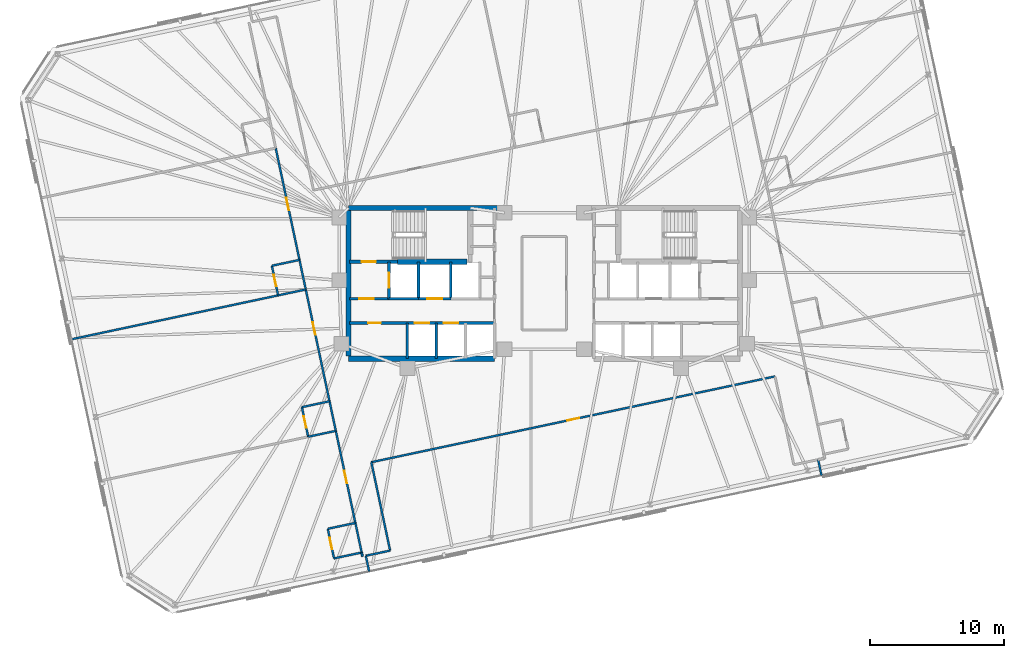
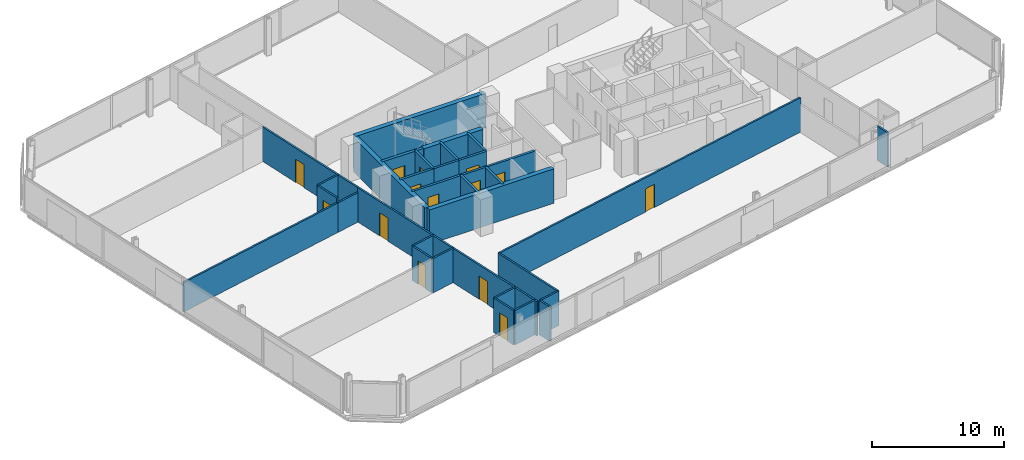
# One storey, part 14 of 19: 36 walls, 14 doors, 14 openings.
"""IFC4 building model written with IfcOpenShell, lengths in metres."""

from ifc_helpers import new_model, si_unit, direction, frame, frame_2d, origin, place, context, subcontext, project, spatial, rectangle, extrude, material, layer, layer_set, type_object, element, fill, save


model = new_model("IFC4")

# Units and contexts
model_context = context("Model", 3, precision=1e-05, world=origin(), true_north=direction((0.0, 1.0)))
body_context = subcontext(model_context, "Body", "Model", "MODEL_VIEW")
ifc_project = project(units=[si_unit("LENGTHUNIT", "METRE"), si_unit("AREAUNIT", "SQUARE_METRE"), si_unit("VOLUMEUNIT", "CUBIC_METRE"), si_unit("PLANEANGLEUNIT", "RADIAN"), si_unit("MASSUNIT", "GRAM", prefix="KILO")], contexts=[model_context])

# Site, building, storey
site_placement = place(None, origin())
site = spatial("IfcSite", under=ifc_project, at=site_placement, CompositionType="ELEMENT")
building_placement = place(site_placement, origin())
building = spatial("IfcBuilding", under=site, at=building_placement, Name="Menara Jurai Vektor", CompositionType="ELEMENT")
storey_placement = place(building_placement, frame((0.0, 0.0, 192.199951171875)))
storey = spatial("IfcBuildingStorey", under=building, at=storey_placement, Name="L50", CompositionType="ELEMENT", Elevation=192.199951171875)

# Wall, opening, door
ifc_material_1 = material(Name="Concrete C40/50", Category="concrete")
ifc_layer_1 = layer(ifc_material_1, 0.25)
ifc_layer_set_1 = layer_set([ifc_layer_1], Name="Concrete C40/50")
wall_type_1 = type_object("IfcWallType", Name="INT-WALL-CORE-250", PredefinedType="STANDARD", material=ifc_layer_set_1)
wall_1_placement = place(storey_placement, frame((-14.5, 1.60009765625, 0.0), z_axis=(0.0, 0.0, 1.0), x_axis=(1.0, 0.0, 0.0)))
wall_1 = element("IfcWall", 1, at=wall_1_placement, inside=storey, type_object=wall_type_1, Name="Interior Wall IW-250 L50", PredefinedType="STANDARD", context=body_context, shape_type="SweptSolid", body=[
    extrude(rectangle(XDim=3.60009765625, YDim=0.25, at=frame_2d((1.800048828125, 0.0))), origin(), (0.0, 0.0, 1.0), 3.175048828125),
])
opening_1_placement = place(wall_1_placement, frame((0.919921875, 0.0, 0.0)))
opening_1 = element("IfcOpeningElement", 2, at=opening_1_placement, cuts=wall_1, Name="Opening D-L50-ST1", PredefinedType="OPENING", context=body_context, shape_type="SweptSolid", body=[
    extrude(rectangle(XDim=1.050048828125, YDim=2.14990234375, at=frame_2d((0.52490234375, 1.074951171875))), frame((0.0, 0.135009765625, 0.0), z_axis=(0.0, -1.0, 0.0), x_axis=(1.0, 0.0, 0.0)), (0.0, 0.0, 1.0), 0.27001953125),
])
ifc_material_2 = material(Name="Fire-Rated Steel Door", Category="steel")
door_type_1 = type_object("IfcDoorType", Name="DR-STAIR-1050", OperationType="NOTDEFINED", PredefinedType="DOOR", material=ifc_material_2)
door_1_placement = place(opening_1_placement, origin())
door_1 = element("IfcDoor", 3, at=door_1_placement, inside=storey, type_object=door_type_1, Name="Exit Stair ST1 Door L50", OperationType="SINGLE_SWING_RIGHT", OverallHeight=2.14990234375, OverallWidth=1.050048828125, PredefinedType="DOOR", context=body_context, shape_type="SweptSolid", body=[
    extrude(rectangle(XDim=1.050048828125, YDim=2.14990234375, at=frame_2d((0.52490234375, 1.074951171875))), frame((0.0, 0.02490234375, 0.0), z_axis=(0.0, -1.0, 0.0), x_axis=(1.0, 0.0, 0.0)), (0.0, 0.0, 1.0), 0.050048828125),
])
fill(opening_1, door_1)

wall_2_placement = place(storey_placement, frame((-11.550048828125, -1.14990234375, 0.0), z_axis=(0.0, 0.0, 1.0), x_axis=(0.0, 1.0, 0.0)))
wall_2 = element("IfcWall", 4, at=wall_2_placement, inside=storey, type_object=wall_type_1, Name="Interior Wall IW-250 L50", PredefinedType="STANDARD", context=body_context, shape_type="SweptSolid", body=[
    extrude(rectangle(XDim=2.75, YDim=0.199951171875, at=frame_2d((1.375, 0.0))), origin(), (0.0, 0.0, 1.0), 3.175048828125),
])
opening_2_placement = place(wall_2_placement, frame((0.824951171875, 0.0, 0.0)))
opening_2 = element("IfcOpeningElement", 5, at=opening_2_placement, cuts=wall_2, Name="Opening LD-L50-FL1", PredefinedType="OPENING", context=body_context, shape_type="SweptSolid", body=[
    extrude(rectangle(XDim=1.10009765625, YDim=2.14990234375, at=frame_2d((0.550048828125, 1.074951171875))), frame((0.0, 0.10986328125, 0.0), z_axis=(0.0, -1.0, 0.0), x_axis=(1.0, 0.0, 0.0)), (0.0, 0.0, 1.0), 0.219970703125),
])
ifc_material_3 = material(Name="Stainless Steel Sliding Lift Landing Door", Category="steel")
door_type_2 = type_object("IfcDoorType", Name="DR-LIFT-FIRE-1100", OperationType="NOTDEFINED", PredefinedType="DOOR", material=ifc_material_3)
door_2_placement = place(opening_2_placement, origin())
door_2 = element("IfcDoor", 6, at=door_2_placement, inside=storey, type_object=door_type_2, Name="Lift Landing Door FL1 L50", OperationType="SLIDING_TO_RIGHT", OverallHeight=2.14990234375, OverallWidth=1.10009765625, PredefinedType="DOOR", context=body_context, shape_type="SweptSolid", body=[
    extrude(rectangle(XDim=1.10009765625, YDim=2.14990234375, at=frame_2d((0.550048828125, 1.074951171875))), frame((0.0, 0.02490234375, 0.0), z_axis=(0.0, -1.0, 0.0), x_axis=(1.0, 0.0, 0.0)), (0.0, 0.0, 1.0), 0.050048828125),
])
fill(opening_2, door_2)

# Wall
wall_3_placement = place(storey_placement, frame((-9.35009765625, -1.14990234375, 0.0), z_axis=(0.0, 0.0, 1.0), x_axis=(0.0, 1.0, 0.0)))
element("IfcWall", 7, at=wall_3_placement, inside=storey, type_object=wall_type_1, Name="Interior Wall IW-250 L50", PredefinedType="STANDARD", context=body_context, shape_type="SweptSolid", body=[
    extrude(rectangle(XDim=2.75, YDim=0.199951171875, at=frame_2d((1.375, 0.0))), origin(), (0.0, 0.0, 1.0), 3.175048828125),
])

# Wall, opening, door
wall_4_placement = place(storey_placement, frame((-14.5, -1.14990234375, 0.0), z_axis=(0.0, 0.0, 1.0), x_axis=(1.0, 0.0, 0.0)))
wall_4 = element("IfcWall", 8, at=wall_4_placement, inside=storey, type_object=wall_type_1, Name="Interior Wall IW-250 L50", PredefinedType="STANDARD", context=body_context, shape_type="SweptSolid", body=[
    extrude(rectangle(XDim=2.949951171875, YDim=0.199951171875, at=frame_2d((1.47509765625, 0.0))), origin(), (0.0, 0.0, 1.0), 3.175048828125),
])
opening_3_placement = place(wall_4_placement, frame((0.75, 0.0, 0.0)))
opening_3 = element("IfcOpeningElement", 9, at=opening_3_placement, cuts=wall_4, Name="Opening D-L50-FFW", PredefinedType="OPENING", context=body_context, shape_type="SweptSolid", body=[
    extrude(rectangle(XDim=1.050048828125, YDim=2.179931640625, at=frame_2d((0.52490234375, 1.08984375))), frame((0.0, 0.10986328125, 0.0), z_axis=(0.0, -1.0, 0.0), x_axis=(1.0, 0.0, 0.0)), (0.0, 0.0, 1.0), 0.219970703125),
])
ifc_material_4 = material(Name="Fire-Rated Timber Door", Category="wood")
door_type_3 = type_object("IfcDoorType", Name="DR-LOBBY-1050", OperationType="NOTDEFINED", PredefinedType="DOOR", material=ifc_material_4)
door_3_placement = place(opening_3_placement, origin())
door_3 = element("IfcDoor", 10, at=door_3_placement, inside=storey, type_object=door_type_3, Name="Fire Lift Lobby Door W L50", OperationType="SINGLE_SWING_RIGHT", OverallHeight=2.179931640625, OverallWidth=1.050048828125, PredefinedType="DOOR", context=body_context, shape_type="SweptSolid", body=[
    extrude(rectangle(XDim=1.050048828125, YDim=2.179931640625, at=frame_2d((0.52490234375, 1.08984375))), frame((0.0, 0.02490234375, 0.0), z_axis=(0.0, -1.0, 0.0), x_axis=(1.0, 0.0, 0.0)), (0.0, 0.0, 1.0), 0.050048828125),
])
fill(opening_3, door_3)

# Walls
wall_5_placement = place(storey_placement, frame((-11.550048828125, -1.14990234375, 0.0), z_axis=(0.0, 0.0, 1.0), x_axis=(1.0, 0.0, 0.0)))
element("IfcWall", 11, at=wall_5_placement, inside=storey, type_object=wall_type_1, Name="Interior Wall IW-250 L50", PredefinedType="STANDARD", context=body_context, shape_type="SweptSolid", body=[
    extrude(rectangle(XDim=2.199951171875, YDim=0.199951171875, at=frame_2d((1.10009765625, 0.0))), origin(), (0.0, 0.0, 1.0), 3.175048828125),
])
ifc_material_5 = material(Name="Gypsum Fireboard Partition", Category="gypsum")
ifc_layer_2 = layer(ifc_material_5, 0.14990234375)
ifc_layer_set_2 = layer_set([ifc_layer_2], Name="Gypsum Fireboard Partition")
wall_type_2 = type_object("IfcWallType", Name="INT-WALL-CORR-150", PredefinedType="PARTITIONING", material=ifc_layer_set_2)
wall_6_placement = place(storey_placement, frame((-13.274169921875, -20.264892578125, 0.0), z_axis=(0.0, 0.0, 1.0), x_axis=(0.978160192495, 0.207852442415, 0.0)))
element("IfcWall", 12, at=wall_6_placement, inside=storey, type_object=wall_type_2, Name="Interior Wall IW-150 L50", PredefinedType="PARTITIONING", context=body_context, shape_type="SweptSolid", body=[
    extrude(rectangle(XDim=1.849853515625, YDim=0.14990234375, at=frame_2d((0.9248046875, 0.0))), origin(), (0.0, 0.0, 1.0), 3.175048828125),
])
wall_7_placement = place(storey_placement, frame((-11.464599609375, -19.88037109375, 0.0), z_axis=(0.0, 0.0, 1.0), x_axis=(-0.207916109912, 0.978146661416, 0.0)))
element("IfcWall", 13, at=wall_7_placement, inside=storey, type_object=wall_type_2, Name="Interior Wall IW-150 L50", PredefinedType="PARTITIONING", context=body_context, shape_type="SweptSolid", body=[
    extrude(rectangle(XDim=6.72021484375, YDim=0.14990234375, at=frame_2d((3.360107421875, 0.0))), origin(), (0.0, 0.0, 1.0), 3.175048828125),
])

# Wall, opening, door
wall_8_placement = place(storey_placement, frame((-12.86181640625, -13.30712890625, 0.0), z_axis=(0.0, 0.0, 1.0), x_axis=(0.97814793387, 0.207910123527, 0.0)))
wall_8 = element("IfcWall", 14, at=wall_8_placement, inside=storey, type_object=wall_type_2, Name="Interior Wall IW-150 L50", PredefinedType="PARTITIONING", context=body_context, shape_type="SweptSolid", body=[
    extrude(rectangle(XDim=30.695068359375, YDim=0.14990234375, at=frame_2d((15.34765625, 0.0))), origin(), (0.0, 0.0, 1.0), 3.175048828125),
])
opening_4_placement = place(wall_8_placement, frame((14.887451171875, 0.0, 0.0)))
opening_4 = element("IfcOpeningElement", 15, at=opening_4_placement, cuts=wall_8, Name="Opening D50-12", PredefinedType="OPENING", context=body_context, shape_type="SweptSolid", body=[
    extrude(rectangle(XDim=0.919921875, YDim=2.14990234375, at=frame_2d((0.4599609375, 1.074951171875))), frame((0.0, 0.0849609375, 0.0), z_axis=(0.0, -1.0, 0.0), x_axis=(1.0, 0.0, 0.0)), (0.0, 0.0, 1.0), 0.169921875),
])
ifc_material_6 = material(Name="Solid Core Timber Fire Door", Category="wood")
door_type_4 = type_object("IfcDoorType", Name="DR-ENTRY-950", OperationType="NOTDEFINED", PredefinedType="DOOR", material=ifc_material_6)
door_4_placement = place(opening_4_placement, origin())
door_4 = element("IfcDoor", 16, at=door_4_placement, inside=storey, type_object=door_type_4, Name="Interior Door D50-12", OperationType="SINGLE_SWING_LEFT", OverallHeight=2.14990234375, OverallWidth=0.919921875, PredefinedType="DOOR", context=body_context, shape_type="SweptSolid", body=[
    extrude(rectangle(XDim=0.919921875, YDim=2.14990234375, at=frame_2d((0.4599609375, 1.074951171875))), frame((0.0, 0.02490234375, 0.0), z_axis=(0.0, -1.0, 0.0), x_axis=(1.0, 0.0, 0.0)), (0.0, 0.0, 1.0), 0.050048828125),
])
fill(opening_4, door_4)

# Wall
wall_9_placement = place(storey_placement, frame((-13.518798828125, -20.31689453125, 0.0), z_axis=(0.0, 0.0, 1.0), x_axis=(-0.207527808066, 0.978229118806, 0.0)))
element("IfcWall", 17, at=wall_9_placement, inside=storey, type_object=wall_type_2, Name="Interior Wall IW-150 L50", PredefinedType="PARTITIONING", context=body_context, shape_type="SweptSolid", body=[
    extrude(rectangle(XDim=0.300048828125, YDim=0.14990234375, at=frame_2d((0.14990234375, 0.0))), origin(), (0.0, 0.0, 1.0), 3.175048828125),
])

# Wall, opening, door
wall_10_placement = place(storey_placement, frame((-14.048828125, -17.822509765625, 0.0), z_axis=(0.0, 0.0, 1.0), x_axis=(-0.207940096132, 0.978141562567, 0.0)))
wall_10 = element("IfcWall", 18, at=wall_10_placement, inside=storey, type_object=wall_type_2, Name="Interior Wall IW-150 L50", PredefinedType="PARTITIONING", context=body_context, shape_type="SweptSolid", body=[
    extrude(rectangle(XDim=7.0, YDim=0.14990234375, at=frame_2d((3.5, 0.0))), origin(), (0.0, 0.0, 1.0), 3.175048828125),
])
opening_5_placement = place(wall_10_placement, frame((3.02490234375, 0.0, 0.0)))
opening_5 = element("IfcOpeningElement", 19, at=opening_5_placement, cuts=wall_10, Name="Opening D50-13", PredefinedType="OPENING", context=body_context, shape_type="SweptSolid", body=[
    extrude(rectangle(XDim=0.949951171875, YDim=2.14990234375, at=frame_2d((0.47509765625, 1.074951171875))), frame((0.0, 0.0849609375, 0.0), z_axis=(0.0, -1.0, 0.0), x_axis=(1.0, 0.0, 0.0)), (0.0, 0.0, 1.0), 0.169921875),
])
door_5_placement = place(opening_5_placement, origin())
door_5 = element("IfcDoor", 20, at=door_5_placement, inside=storey, type_object=door_type_4, Name="Interior Door D50-13", OperationType="SINGLE_SWING_RIGHT", OverallHeight=2.14990234375, OverallWidth=0.949951171875, PredefinedType="DOOR", context=body_context, shape_type="SweptSolid", body=[
    extrude(rectangle(XDim=0.949951171875, YDim=2.14990234375, at=frame_2d((0.47509765625, 1.074951171875))), frame((0.0, 0.02490234375, 0.0), z_axis=(0.0, -1.0, 0.0), x_axis=(1.0, 0.0, 0.0)), (0.0, 0.0, 1.0), 0.050048828125),
])
fill(opening_5, door_5)

# Wall
wall_11_placement = place(storey_placement, frame((-13.5810546875, -20.0234375, 0.0), z_axis=(0.0, 0.0, 1.0), x_axis=(-0.207891197838, 0.978151956427, 0.0)))
element("IfcWall", 21, at=wall_11_placement, inside=storey, type_object=wall_type_2, Name="Interior Wall IW-150 L50", PredefinedType="PARTITIONING", context=body_context, shape_type="SweptSolid", body=[
    extrude(rectangle(XDim=2.25, YDim=0.14990234375, at=frame_2d((1.125, 0.0))), origin(), (0.0, 0.0, 1.0), 3.175048828125),
])

# Wall, opening, door
wall_12_placement = place(storey_placement, frame((-15.97216796875, -8.774658203125, 0.0), z_axis=(0.0, 0.0, 1.0), x_axis=(-0.207894825434, 0.97815118543, 0.0)))
wall_12 = element("IfcWall", 22, at=wall_12_placement, inside=storey, type_object=wall_type_2, Name="Interior Wall IW-150 L50", PredefinedType="PARTITIONING", context=body_context, shape_type="SweptSolid", body=[
    extrude(rectangle(XDim=8.5, YDim=0.14990234375, at=frame_2d((4.25, 0.0))), origin(), (0.0, 0.0, 1.0), 3.175048828125),
])
opening_6_placement = place(wall_12_placement, frame((5.050048828125, 0.0, 0.0)))
opening_6 = element("IfcOpeningElement", 23, at=opening_6_placement, cuts=wall_12, Name="Opening D50-15", PredefinedType="OPENING", context=body_context, shape_type="SweptSolid", body=[
    extrude(rectangle(XDim=0.949951171875, YDim=2.14990234375, at=frame_2d((0.47509765625, 1.074951171875))), frame((0.0, 0.0849609375, 0.0), z_axis=(0.0, -1.0, 0.0), x_axis=(1.0, 0.0, 0.0)), (0.0, 0.0, 1.0), 0.169921875),
])
door_6_placement = place(opening_6_placement, origin())
door_6 = element("IfcDoor", 24, at=door_6_placement, inside=storey, type_object=door_type_4, Name="Interior Door D50-15", OperationType="SINGLE_SWING_RIGHT", OverallHeight=2.14990234375, OverallWidth=0.949951171875, PredefinedType="DOOR", context=body_context, shape_type="SweptSolid", body=[
    extrude(rectangle(XDim=0.949951171875, YDim=2.14990234375, at=frame_2d((0.47509765625, 1.074951171875))), frame((0.0, 0.02490234375, 0.0), z_axis=(0.0, -1.0, 0.0), x_axis=(1.0, 0.0, 0.0)), (0.0, 0.0, 1.0), 0.050048828125),
])
fill(opening_6, door_6)

# Wall
wall_13_placement = place(storey_placement, frame((-15.50439453125, -10.9755859375, 0.0), z_axis=(0.0, 0.0, 1.0), x_axis=(-0.207891197838, 0.978151956427, 0.0)))
element("IfcWall", 25, at=wall_13_placement, inside=storey, type_object=wall_type_2, Name="Interior Wall IW-150 L50", PredefinedType="PARTITIONING", context=body_context, shape_type="SweptSolid", body=[
    extrude(rectangle(XDim=2.25, YDim=0.14990234375, at=frame_2d((1.125, 0.0))), origin(), (0.0, 0.0, 1.0), 3.175048828125),
])

# Wall, opening, door
wall_14_placement = place(storey_placement, frame((-18.20703125, 1.740478515625, 0.0), z_axis=(0.0, 0.0, 1.0), x_axis=(-0.207922306475, 0.978145344246, 0.0)))
wall_14 = element("IfcWall", 26, at=wall_14_placement, inside=storey, type_object=wall_type_2, Name="Interior Wall IW-150 L50", PredefinedType="PARTITIONING", context=body_context, shape_type="SweptSolid", body=[
    extrude(rectangle(XDim=8.5, YDim=0.14990234375, at=frame_2d((4.25, 0.0))), origin(), (0.0, 0.0, 1.0), 3.175048828125),
])
opening_7_placement = place(wall_14_placement, frame((3.77490234375, 0.0, 0.0)))
opening_7 = element("IfcOpeningElement", 27, at=opening_7_placement, cuts=wall_14, Name="Opening D50-17", PredefinedType="OPENING", context=body_context, shape_type="SweptSolid", body=[
    extrude(rectangle(XDim=0.949951171875, YDim=2.14990234375, at=frame_2d((0.47509765625, 1.074951171875))), frame((0.0, 0.0849609375, 0.0), z_axis=(0.0, -1.0, 0.0), x_axis=(1.0, 0.0, 0.0)), (0.0, 0.0, 1.0), 0.169921875),
])
door_7_placement = place(opening_7_placement, origin())
door_7 = element("IfcDoor", 28, at=door_7_placement, inside=storey, type_object=door_type_4, Name="Interior Door D50-17", OperationType="SINGLE_SWING_RIGHT", OverallHeight=2.14990234375, OverallWidth=0.949951171875, PredefinedType="DOOR", context=body_context, shape_type="SweptSolid", body=[
    extrude(rectangle(XDim=0.949951171875, YDim=2.14990234375, at=frame_2d((0.47509765625, 1.074951171875))), frame((0.0, 0.02490234375, 0.0), z_axis=(0.0, -1.0, 0.0), x_axis=(1.0, 0.0, 0.0)), (0.0, 0.0, 1.0), 0.050048828125),
])
fill(opening_7, door_7)

# Walls
wall_15_placement = place(storey_placement, frame((-17.7392578125, -0.46044921875, 0.0), z_axis=(0.0, 0.0, 1.0), x_axis=(-0.207891197838, 0.978151956427, 0.0)))
element("IfcWall", 29, at=wall_15_placement, inside=storey, type_object=wall_type_2, Name="Interior Wall IW-150 L50", PredefinedType="PARTITIONING", context=body_context, shape_type="SweptSolid", body=[
    extrude(rectangle(XDim=2.25, YDim=0.14990234375, at=frame_2d((1.125, 0.0))), origin(), (0.0, 0.0, 1.0), 3.175048828125),
])
for number, where, z_axis, x_axis, name in (
    (30, (-13.024658203125, -21.438720703125, 0.0), (0.0, 0.0, 1.0), (-0.207917150959, 0.978146440129, 0.0), "Interior Wall IW-150 L50"),
    (31, (20.61865234375, -14.28759765625, 0.0), (0.0, 0.0, 1.0), (-0.207917150959, 0.978146440129, 0.0), "Interior Wall IW-150 L50"),
):
    element("IfcWall", number, at=place(storey_placement, frame(where, z_axis=z_axis, x_axis=x_axis)), inside=storey, type_object=wall_type_2, Name=name, PredefinedType="PARTITIONING", context=body_context, shape_type="SweptSolid", body=[
        extrude(rectangle(XDim=1.199951171875, YDim=0.14990234375, at=frame_2d((0.60009765625, 0.0))), origin(), (0.0, 0.0, 1.0), 3.175048828125),
    ])

# Wall, opening, door
wall_16_placement = place(storey_placement, frame((-15.63525390625, -20.4599609375, 0.0), z_axis=(0.0, 0.0, 1.0), x_axis=(-0.207913264065, 0.978147266328, 0.0)))
wall_16 = element("IfcWall", 32, at=wall_16_placement, inside=storey, type_object=wall_type_2, Name="Interior Wall IW-150 L50", PredefinedType="PARTITIONING", context=body_context, shape_type="SweptSolid", body=[
    extrude(rectangle(XDim=2.249755859375, YDim=0.14990234375, at=frame_2d((1.125, 0.0))), origin(), (0.0, 0.0, 1.0), 3.175048828125),
])
opening_8_placement = place(wall_16_placement, frame((0.68505859375, 0.0, 0.0)))
opening_8 = element("IfcOpeningElement", 33, at=opening_8_placement, cuts=wall_16, Name="Opening D50-14", PredefinedType="OPENING", context=body_context, shape_type="SweptSolid", body=[
    extrude(rectangle(XDim=0.8798828125, YDim=2.14990234375, at=frame_2d((0.43994140625, 1.074951171875))), frame((0.0, 0.0849609375, 0.0), z_axis=(0.0, -1.0, 0.0), x_axis=(1.0, 0.0, 0.0)), (0.0, 0.0, 1.0), 0.169921875),
])
ifc_material_7 = material(Name="Moisture-Resistant Timber Door", Category="wood")
door_type_5 = type_object("IfcDoorType", Name="DR-BATH-880", OperationType="NOTDEFINED", PredefinedType="DOOR", material=ifc_material_7)
door_8_placement = place(opening_8_placement, origin())
door_8 = element("IfcDoor", 34, at=door_8_placement, inside=storey, type_object=door_type_5, Name="Interior Door D50-14", OperationType="SINGLE_SWING_LEFT", OverallHeight=2.14990234375, OverallWidth=0.8798828125, PredefinedType="DOOR", context=body_context, shape_type="SweptSolid", body=[
    extrude(rectangle(XDim=0.8798828125, YDim=2.14990234375, at=frame_2d((0.43994140625, 1.074951171875))), frame((0.0, 0.02490234375, 0.0), z_axis=(0.0, -1.0, 0.0), x_axis=(1.0, 0.0, 0.0)), (0.0, 0.0, 1.0), 0.050048828125),
])
fill(opening_8, door_8)

# Walls
for number, where, z_axis, x_axis, name in (
    (35, (-15.63525390625, -20.4599609375, 0.0), (0.0, 0.0, 1.0), (0.97815826, 0.207861536591, 0.0), "Interior Wall IW-150 L50"),
    (36, (-16.10302734375, -18.25927734375, 0.0), (0.0, 0.0, 1.0), (0.978134617382, 0.207972763311, 0.0), "Interior Wall IW-150 L50"),
):
    element("IfcWall", number, at=place(storey_placement, frame(where, z_axis=z_axis, x_axis=x_axis)), inside=storey, type_object=wall_type_2, Name=name, PredefinedType="PARTITIONING", context=body_context, shape_type="SweptSolid", body=[
        extrude(rectangle(XDim=2.10009765625, YDim=0.14990234375, at=frame_2d((1.050048828125, 0.0))), origin(), (0.0, 0.0, 1.0), 3.175048828125),
    ])
wall_17_placement = place(storey_placement, frame((-17.558349609375, -11.412109375, 0.0), z_axis=(0.0, 0.0, 1.0), x_axis=(0.978153236239, 0.207885176084, 0.0)))
element("IfcWall", 37, at=wall_17_placement, inside=storey, type_object=wall_type_2, Name="Interior Wall IW-150 L50", PredefinedType="PARTITIONING", context=body_context, shape_type="SweptSolid", body=[
    extrude(rectangle(XDim=2.099853515625, YDim=0.14990234375, at=frame_2d((1.0498046875, 0.0))), origin(), (0.0, 0.0, 1.0), 3.175048828125),
])

# Wall, opening, door
wall_18_placement = place(storey_placement, frame((-17.558349609375, -11.412109375, 0.0), z_axis=(0.0, 0.0, 1.0), x_axis=(-0.207891197838, 0.978151956427, 0.0)))
wall_18 = element("IfcWall", 38, at=wall_18_placement, inside=storey, type_object=wall_type_2, Name="Interior Wall IW-150 L50", PredefinedType="PARTITIONING", context=body_context, shape_type="SweptSolid", body=[
    extrude(rectangle(XDim=2.25, YDim=0.14990234375, at=frame_2d((1.125, 0.0))), origin(), (0.0, 0.0, 1.0), 3.175048828125),
])
opening_9_placement = place(wall_18_placement, frame((0.68505859375, 0.0, 0.0)))
opening_9 = element("IfcOpeningElement", 39, at=opening_9_placement, cuts=wall_18, Name="Opening D50-16", PredefinedType="OPENING", context=body_context, shape_type="SweptSolid", body=[
    extrude(rectangle(XDim=0.8798828125, YDim=2.14990234375, at=frame_2d((0.43994140625, 1.074951171875))), frame((0.0, 0.0849609375, 0.0), z_axis=(0.0, -1.0, 0.0), x_axis=(1.0, 0.0, 0.0)), (0.0, 0.0, 1.0), 0.169921875),
])
door_9_placement = place(opening_9_placement, origin())
door_9 = element("IfcDoor", 40, at=door_9_placement, inside=storey, type_object=door_type_5, Name="Interior Door D50-16", OperationType="SINGLE_SWING_LEFT", OverallHeight=2.14990234375, OverallWidth=0.8798828125, PredefinedType="DOOR", context=body_context, shape_type="SweptSolid", body=[
    extrude(rectangle(XDim=0.8798828125, YDim=2.14990234375, at=frame_2d((0.43994140625, 1.074951171875))), frame((0.0, 0.02490234375, 0.0), z_axis=(0.0, -1.0, 0.0), x_axis=(1.0, 0.0, 0.0)), (0.0, 0.0, 1.0), 0.050048828125),
])
fill(opening_9, door_9)

# Wall
wall_19_placement = place(storey_placement, frame((-18.026123046875, -9.211181640625, 0.0), z_axis=(0.0, 0.0, 1.0), x_axis=(0.978153236239, 0.207885176084, 0.0)))
element("IfcWall", 41, at=wall_19_placement, inside=storey, type_object=wall_type_2, Name="Interior Wall IW-150 L50", PredefinedType="PARTITIONING", context=body_context, shape_type="SweptSolid", body=[
    extrude(rectangle(XDim=2.099853515625, YDim=0.14990234375, at=frame_2d((1.0498046875, 0.0))), origin(), (0.0, 0.0, 1.0), 3.175048828125),
])

# Wall, opening, door
wall_20_placement = place(storey_placement, frame((-19.79345703125, -0.897216796875, 0.0), z_axis=(0.0, 0.0, 1.0), x_axis=(-0.207891197838, 0.978151956427, 0.0)))
wall_20 = element("IfcWall", 42, at=wall_20_placement, inside=storey, type_object=wall_type_2, Name="Interior Wall IW-150 L50", PredefinedType="PARTITIONING", context=body_context, shape_type="SweptSolid", body=[
    extrude(rectangle(XDim=2.25, YDim=0.14990234375, at=frame_2d((1.125, 0.0))), origin(), (0.0, 0.0, 1.0), 3.175048828125),
])
opening_10_placement = place(wall_20_placement, frame((0.68505859375, 0.0, 0.0)))
opening_10 = element("IfcOpeningElement", 43, at=opening_10_placement, cuts=wall_20, Name="Opening D50-18", PredefinedType="OPENING", context=body_context, shape_type="SweptSolid", body=[
    extrude(rectangle(XDim=0.8798828125, YDim=2.14990234375, at=frame_2d((0.43994140625, 1.074951171875))), frame((0.0, 0.0849609375, 0.0), z_axis=(0.0, -1.0, 0.0), x_axis=(1.0, 0.0, 0.0)), (0.0, 0.0, 1.0), 0.169921875),
])
door_10_placement = place(opening_10_placement, origin())
door_10 = element("IfcDoor", 44, at=door_10_placement, inside=storey, type_object=door_type_5, Name="Interior Door D50-18", OperationType="SINGLE_SWING_LEFT", OverallHeight=2.14990234375, OverallWidth=0.8798828125, PredefinedType="DOOR", context=body_context, shape_type="SweptSolid", body=[
    extrude(rectangle(XDim=0.8798828125, YDim=2.14990234375, at=frame_2d((0.43994140625, 1.074951171875))), frame((0.0, 0.02490234375, 0.0), z_axis=(0.0, -1.0, 0.0), x_axis=(1.0, 0.0, 0.0)), (0.0, 0.0, 1.0), 0.050048828125),
])
fill(opening_10, door_10)

# Walls
wall_21_placement = place(storey_placement, frame((-20.26123046875, 1.3037109375, 0.0), z_axis=(0.0, 0.0, 1.0), x_axis=(0.978134617382, 0.207972763311, 0.0)))
element("IfcWall", 45, at=wall_21_placement, inside=storey, type_object=wall_type_2, Name="Interior Wall IW-150 L50", PredefinedType="PARTITIONING", context=body_context, shape_type="SweptSolid", body=[
    extrude(rectangle(XDim=2.10009765625, YDim=0.14990234375, at=frame_2d((1.050048828125, 0.0))), origin(), (0.0, 0.0, 1.0), 3.175048828125),
])
ifc_layer_3 = layer(ifc_material_5, 0.14990234375)
ifc_layer_set_3 = layer_set([ifc_layer_3], Name="Gypsum Fireboard Partition")
wall_type_3 = type_object("IfcWallType", Name="INT-WALL-CORR-150-H1", PredefinedType="PARTITIONING", material=ifc_layer_set_3)
wall_22_placement = place(storey_placement, frame((-35.16796875, -4.1650390625, 0.0), z_axis=(0.0, 0.0, 1.0), x_axis=(0.978149296727, 0.207903711638, 0.0)))
element("IfcWall", 46, at=wall_22_placement, inside=storey, type_object=wall_type_3, Name="Interior Wall IW-150 L50", PredefinedType="PARTITIONING", context=body_context, shape_type="SweptSolid", body=[
    extrude(rectangle(XDim=15.718017578125, YDim=0.14990234375, at=frame_2d((7.85888671875, 0.0))), origin(), (0.0, 0.0, 1.0), 2.72509765625),
])
wall_23_placement = place(storey_placement, frame((-19.79345703125, -0.897216796875, 0.0), z_axis=(0.0, 0.0, 1.0), x_axis=(0.978134617382, 0.207972763311, 0.0)))
element("IfcWall", 47, at=wall_23_placement, inside=storey, type_object=wall_type_3, Name="Interior Wall IW-150 L50", PredefinedType="PARTITIONING", context=body_context, shape_type="SweptSolid", body=[
    extrude(rectangle(XDim=2.10009765625, YDim=0.14990234375, at=frame_2d((1.050048828125, 0.0))), origin(), (0.0, 0.0, 1.0), 2.72509765625),
])
ifc_layer_4 = layer(ifc_material_1, 0.199951171875)
ifc_layer_set_4 = layer_set([ifc_layer_4], Name="Concrete C40/50")
wall_type_4 = type_object("IfcWallType", Name="INT-WALL-SHAFT-200", PredefinedType="STANDARD", material=ifc_layer_set_4)
wall_24_placement = place(storey_placement, frame((-6.949951171875, -1.14990234375, 0.0), z_axis=(0.0, 0.0, 1.0), x_axis=(0.0, 1.0, 0.0)))
element("IfcWall", 48, at=wall_24_placement, inside=storey, type_object=wall_type_4, Name="Interior Wall IW-200 L50", PredefinedType="STANDARD", context=body_context, shape_type="SweptSolid", body=[
    extrude(rectangle(XDim=2.75, YDim=0.199951171875, at=frame_2d((1.375, 0.0))), origin(), (0.0, 0.0, 1.0), 3.175048828125),
])

# Wall, opening, door
wall_25_placement = place(storey_placement, frame((-9.35009765625, -1.14990234375, 0.0), z_axis=(0.0, 0.0, 1.0), x_axis=(1.0, 0.0, 0.0)))
wall_25 = element("IfcWall", 49, at=wall_25_placement, inside=storey, type_object=wall_type_4, Name="Interior Wall IW-200 L50", PredefinedType="STANDARD", context=body_context, shape_type="SweptSolid", body=[
    extrude(rectangle(XDim=2.400146484375, YDim=0.199951171875, at=frame_2d((1.2001953125, 0.0))), origin(), (0.0, 0.0, 1.0), 3.175048828125),
])
opening_11_placement = place(wall_25_placement, frame((0.64990234375, 0.0, 0.0)))
opening_11 = element("IfcOpeningElement", 50, at=opening_11_placement, cuts=wall_25, Name="Opening LD-L50-SVL1", PredefinedType="OPENING", context=body_context, shape_type="SweptSolid", body=[
    extrude(rectangle(XDim=1.10009765625, YDim=2.14990234375, at=frame_2d((0.550048828125, 1.074951171875))), frame((0.0, 0.10986328125, 0.0), z_axis=(0.0, -1.0, 0.0), x_axis=(1.0, 0.0, 0.0)), (0.0, 0.0, 1.0), 0.219970703125),
])
ifc_material_8 = material(Name="Anodised Stainless Sliding Lift Landing Door", Category="steel")
door_type_6 = type_object("IfcDoorType", Name="DR-LIFT-PASS-1100", OperationType="NOTDEFINED", PredefinedType="DOOR", material=ifc_material_8)
door_11_placement = place(opening_11_placement, origin())
door_11 = element("IfcDoor", 51, at=door_11_placement, inside=storey, type_object=door_type_6, Name="Lift Landing Door SVL1 L50", OperationType="SLIDING_TO_RIGHT", OverallHeight=2.14990234375, OverallWidth=1.10009765625, PredefinedType="DOOR", context=body_context, shape_type="SweptSolid", body=[
    extrude(rectangle(XDim=1.10009765625, YDim=2.14990234375, at=frame_2d((0.550048828125, 1.074951171875))), frame((0.0, 0.02490234375, 0.0), z_axis=(0.0, -1.0, 0.0), x_axis=(1.0, 0.0, 0.0)), (0.0, 0.0, 1.0), 0.050048828125),
])
fill(opening_11, door_11)

# Wall, openings, doors
wall_26_placement = place(storey_placement, frame((-14.5, -2.949951171875, 0.0), z_axis=(0.0, 0.0, 1.0), x_axis=(1.0, 0.0, 0.0)))
wall_26 = element("IfcWall", 52, at=wall_26_placement, inside=storey, type_object=wall_type_4, Name="Interior Wall IW-200 L50", PredefinedType="STANDARD", context=body_context, shape_type="SweptSolid", body=[
    extrude(rectangle(XDim=10.800048828125, YDim=0.199951171875, at=frame_2d((5.39990234375, 0.0))), origin(), (0.0, 0.0, 1.0), 3.175048828125),
])
opening_12_placement = place(wall_26_placement, frame((4.85009765625, 0.0, 0.0)))
opening_12 = element("IfcOpeningElement", 53, at=opening_12_placement, cuts=wall_26, Name="Opening LD-L50-PM1", PredefinedType="OPENING", context=body_context, shape_type="SweptSolid", body=[
    extrude(rectangle(XDim=1.10009765625, YDim=2.14990234375, at=frame_2d((0.550048828125, 1.074951171875))), frame((0.0, 0.10986328125, 0.0), z_axis=(0.0, -1.0, 0.0), x_axis=(1.0, 0.0, 0.0)), (0.0, 0.0, 1.0), 0.219970703125),
])
opening_13_placement = place(wall_26_placement, frame((7.010009765625, 0.0, 0.0)))
opening_13 = element("IfcOpeningElement", 54, at=opening_13_placement, cuts=wall_26, Name="Opening LD-L50-PM2", PredefinedType="OPENING", context=body_context, shape_type="SweptSolid", body=[
    extrude(rectangle(XDim=1.10009765625, YDim=2.14990234375, at=frame_2d((0.550048828125, 1.074951171875))), frame((0.0, 0.10986328125, 0.0), z_axis=(0.0, -1.0, 0.0), x_axis=(1.0, 0.0, 0.0)), (0.0, 0.0, 1.0), 0.219970703125),
])
opening_14_placement = place(wall_26_placement, frame((1.39990234375, 0.0, 0.0)))
opening_14 = element("IfcOpeningElement", 55, at=opening_14_placement, cuts=wall_26, Name="Opening D50-01", PredefinedType="OPENING", context=body_context, shape_type="SweptSolid", body=[
    extrude(rectangle(XDim=0.949951171875, YDim=2.14990234375, at=frame_2d((0.47509765625, 1.074951171875))), frame((0.0, 0.10986328125, 0.0), z_axis=(0.0, -1.0, 0.0), x_axis=(1.0, 0.0, 0.0)), (0.0, 0.0, 1.0), 0.219970703125),
])
door_12_placement = place(opening_14_placement, origin())
door_12 = element("IfcDoor", 56, at=door_12_placement, inside=storey, type_object=door_type_4, Name="Interior Door D50-01", OperationType="SINGLE_SWING_LEFT", OverallHeight=2.14990234375, OverallWidth=0.949951171875, PredefinedType="DOOR", context=body_context, shape_type="SweptSolid", body=[
    extrude(rectangle(XDim=0.949951171875, YDim=2.14990234375, at=frame_2d((0.47509765625, 1.074951171875))), frame((0.0, 0.02490234375, 0.0), z_axis=(0.0, -1.0, 0.0), x_axis=(1.0, 0.0, 0.0)), (0.0, 0.0, 1.0), 0.050048828125),
])
fill(opening_14, door_12)
door_13_placement = place(opening_12_placement, origin())
door_13 = element("IfcDoor", 57, at=door_13_placement, inside=storey, type_object=door_type_6, Name="Lift Landing Door PM1 L50", OperationType="SLIDING_TO_LEFT", OverallHeight=2.14990234375, OverallWidth=1.10009765625, PredefinedType="DOOR", context=body_context, shape_type="SweptSolid", body=[
    extrude(rectangle(XDim=1.10009765625, YDim=2.14990234375, at=frame_2d((0.550048828125, 1.074951171875))), frame((0.0, 0.02490234375, 0.0), z_axis=(0.0, -1.0, 0.0), x_axis=(1.0, 0.0, 0.0)), (0.0, 0.0, 1.0), 0.050048828125),
])
fill(opening_12, door_13)
door_14_placement = place(opening_13_placement, origin())
door_14 = element("IfcDoor", 58, at=door_14_placement, inside=storey, type_object=door_type_6, Name="Lift Landing Door PM2 L50", OperationType="SLIDING_TO_LEFT", OverallHeight=2.14990234375, OverallWidth=1.10009765625, PredefinedType="DOOR", context=body_context, shape_type="SweptSolid", body=[
    extrude(rectangle(XDim=1.10009765625, YDim=2.14990234375, at=frame_2d((0.550048828125, 1.074951171875))), frame((0.0, 0.02490234375, 0.0), z_axis=(0.0, -1.0, 0.0), x_axis=(1.0, 0.0, 0.0)), (0.0, 0.0, 1.0), 0.050048828125),
])
fill(opening_13, door_14)

# Walls
for number, where, z_axis, x_axis, name in (
    (59, (-10.179931640625, -5.60009765625, 0.0), (0.0, 0.0, 1.0), (0.0, 1.0, 0.0), "Interior Wall IW-200 L50"),
    (60, (-8.02001953125, -5.60009765625, 0.0), (0.0, 0.0, 1.0), (0.0, 1.0, 0.0), "Interior Wall IW-200 L50"),
):
    element("IfcWall", number, at=place(storey_placement, frame(where, z_axis=z_axis, x_axis=x_axis)), inside=storey, type_object=wall_type_4, Name=name, PredefinedType="STANDARD", context=body_context, shape_type="SweptSolid", body=[
        extrude(rectangle(XDim=2.650146484375, YDim=0.179931640625, at=frame_2d((1.3251953125, 0.0))), origin(), (0.0, 0.0, 1.0), 3.175048828125),
    ])
ifc_material_9 = material(Name="Concrete C50/60", Category="concrete")
ifc_layer_5 = layer(ifc_material_9, 0.39990234375)
ifc_layer_set_5 = layer_set([ifc_layer_5], Name="Concrete C50/60")
wall_type_5 = type_object("IfcWallType", Name="STR-WALL-CORE400", PredefinedType="SHEAR", material=ifc_layer_set_5)
wall_27_placement = place(storey_placement, frame((-14.56005859375, 5.60009765625, 0.0), z_axis=(0.0, 0.0, 1.0), x_axis=(1.0, 0.0, 0.0)))
element("IfcWall", 61, at=wall_27_placement, inside=storey, type_object=wall_type_5, Name="Core Shear Wall CW-W-N L50", PredefinedType="SHEAR", context=body_context, shape_type="SweptSolid", body=[
    extrude(rectangle(XDim=11.41015625, YDim=0.39990234375, at=frame_2d((5.705078125, 0.0))), origin(), (0.0, 0.0, 1.0), 3.175048828125),
])
wall_28_placement = place(storey_placement, frame((-14.56005859375, -5.60009765625, 0.0), z_axis=(0.0, 0.0, 1.0), x_axis=(1.0, 0.0, 0.0)))
element("IfcWall", 62, at=wall_28_placement, inside=storey, type_object=wall_type_5, Name="Core Shear Wall CW-W-S L50", PredefinedType="SHEAR", context=body_context, shape_type="SweptSolid", body=[
    extrude(rectangle(XDim=10.860107421875, YDim=0.39990234375, at=frame_2d((5.43017578125, 0.0))), origin(), (0.0, 0.0, 1.0), 3.175048828125),
])
wall_29_placement = place(storey_placement, frame((-14.56005859375, -5.39990234375, 0.0), z_axis=(0.0, 0.0, 1.0), x_axis=(0.0, 1.0, 0.0)))
element("IfcWall", 63, at=wall_29_placement, inside=storey, type_object=wall_type_5, Name="Core Shear Wall CW-W-W L50", PredefinedType="SHEAR", context=body_context, shape_type="SweptSolid", body=[
    extrude(rectangle(XDim=10.7998046875, YDim=0.39990234375, at=frame_2d((5.39990234375, 0.0))), origin(), (0.0, 0.0, 1.0), 3.175048828125),
])
wall_30_placement = place(storey_placement, frame((-10.89990234375, 1.60009765625, 0.0), z_axis=(0.0, 0.0, 1.0), x_axis=(1.0, 0.0, 0.0)))
element("IfcWall", 64, at=wall_30_placement, inside=storey, type_object=wall_type_5, Name="Core Shear Wall CW-W-STS L50", PredefinedType="SHEAR", context=body_context, shape_type="SweptSolid", body=[
    extrude(rectangle(XDim=5.14990234375, YDim=0.39990234375, at=frame_2d((2.574951171875, 0.0))), origin(), (0.0, 0.0, 1.0), 3.175048828125),
])

save(model, "model.ifc")
